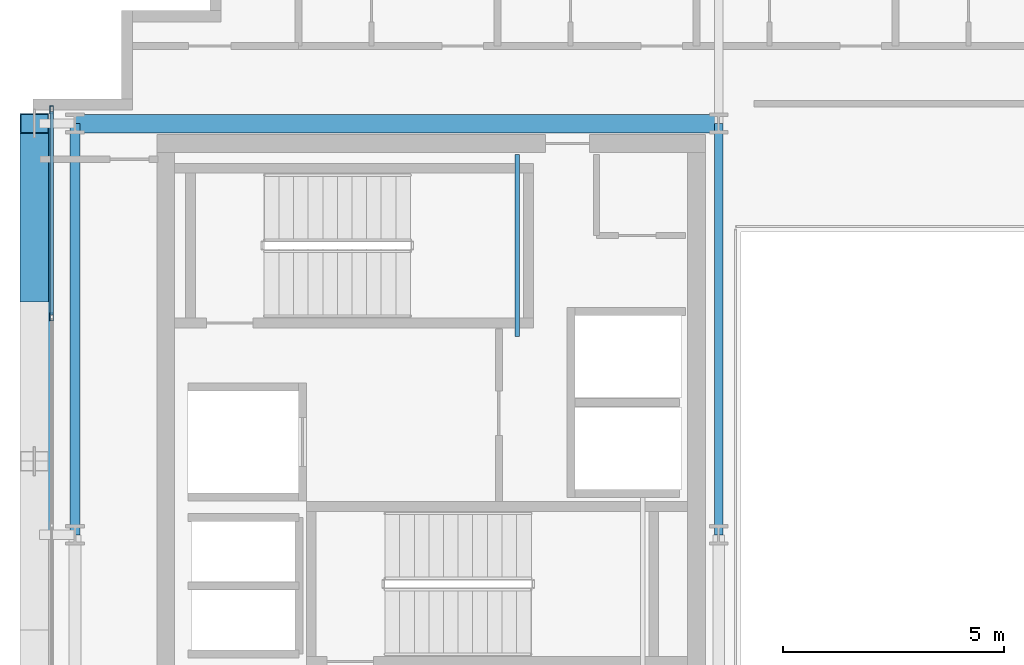
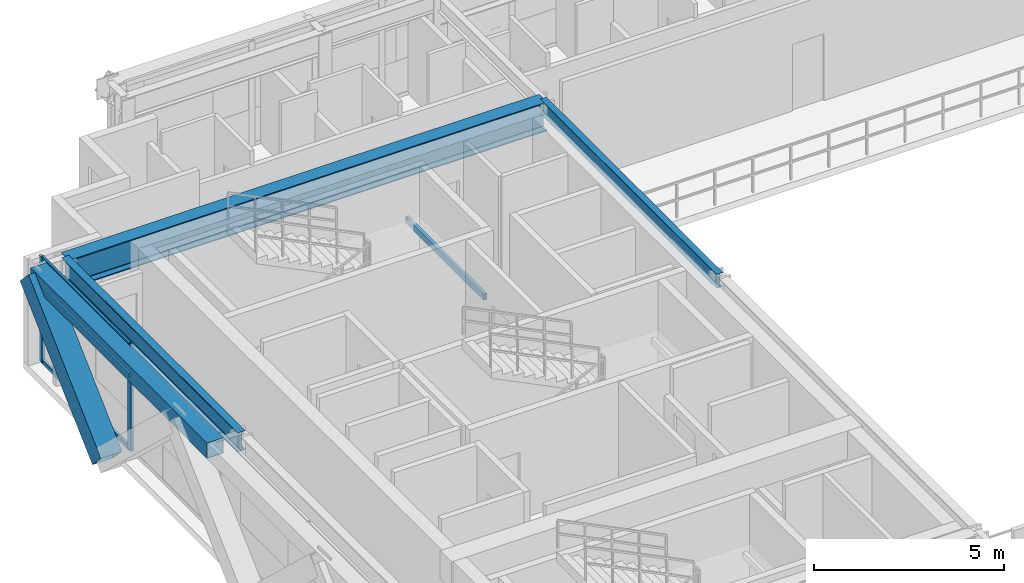
# One storey, part 7 of 28: 6 members, 5 beams, 1 element without a shape of its own.
"""IFC4 building model written with IfcOpenShell, lengths in metres."""

from ifc_helpers import new_model, si_unit, direction, frame, origin, origin_2d, place, context, subcontext, project, spatial, hollow_rectangle, i_section, extrude, source, transform, mapped, material, layer, layer_set, material_profile, profile_set, type_object, element, aggregate, save


model = new_model("IFC4")

# Units and contexts
model_context = context("Model", 3, precision=1e-05, world=origin(), true_north=direction((0.0, 1.0)))
body_context = subcontext(model_context, "Body", "Model", "MODEL_VIEW")
ifc_project = project(units=[si_unit("LENGTHUNIT", "METRE"), si_unit("AREAUNIT", "SQUARE_METRE"), si_unit("VOLUMEUNIT", "CUBIC_METRE"), si_unit("PLANEANGLEUNIT", "RADIAN"), si_unit("MASSUNIT", "GRAM", prefix="KILO")], contexts=[model_context])

# Site, building, storey
site_placement = place(None, origin())
site = spatial("IfcSite", under=ifc_project, at=site_placement, CompositionType="ELEMENT")
building_placement = place(site_placement, origin())
building = spatial("IfcBuilding", under=site, at=building_placement, Name="Ocotamira Hotel", CompositionType="ELEMENT")
storey_placement = place(building_placement, frame((0.0, 0.0, 240.0)))
storey = spatial("IfcBuildingStorey", under=building, at=storey_placement, Name="L60", CompositionType="ELEMENT", Elevation=240.0)

# Beams
ifc_material_1 = material(Name="Steel ASTM A500 Grade C", Category="steel")
ifc_material_profile_1 = material_profile(ifc_material_1, hollow_rectangle(XDim=0.10009765625, YDim=0.199951171875, WallThickness=0.008056640625, at=origin_2d()), Name="HSS200X100X8")
ifc_profile_set_1 = profile_set([ifc_material_profile_1], Name="Steel ASTM A500 Grade C")
beam_type_1 = type_object("IfcBeamType", Name="BM-STLDG-HSS200", PredefinedType="BEAM", material=ifc_profile_set_1)
shared_shape_1 = source(origin(), body_context, "Body", "SweptSolid", [
    extrude(hollow_rectangle(XDim=0.10009765625, YDim=0.199951171875, WallThickness=0.008056640625, at=origin_2d()), origin(), (0.0, 0.0, 1.0), 4.1201171875),
])
beam_1_placement = place(storey_placement, frame((18.949951171875, 32.6298828125, 1.5), z_axis=(0.0, 1.0, 0.0), x_axis=(-1.0, 0.0, 0.0)))
element("IfcBeam", 1, at=beam_1_placement, inside=storey, type_object=beam_type_1, Name="L60 Stair ST-2 Landing Bearer 1", PredefinedType="BEAM", context=body_context, shape_type="MappedRepresentation", body=[
    mapped(shared_shape_1, transform((0.0, 0.0, 0.0), scale=1.0)),
])
ifc_material_2 = material(Name="Steel ASTM A992 Grade 50", Category="steel")
ifc_material_profile_2 = material_profile(ifc_material_2, i_section(OverallWidth=0.41796875, OverallDepth=0.927001953125, WebThickness=0.019287109375, FlangeThickness=0.031982421875, FilletRadius=0.02392578125, at=origin_2d()), Name="W36X231")
ifc_profile_set_2 = profile_set([ifc_material_profile_2], Name="Steel ASTM A992 Grade 50")
beam_type_2 = type_object("IfcBeamType", Name="BM-GIRD-W36X231", PredefinedType="BEAM", material=ifc_profile_set_2)
shared_shape_2 = source(origin(), body_context, "Body", "SweptSolid", [
    extrude(i_section(OverallWidth=0.41796875, OverallDepth=0.927001953125, WebThickness=0.019287109375, FlangeThickness=0.031982421875, FilletRadius=0.02392578125, at=origin_2d()), origin(), (0.0, 0.0, 1.0), 14.550048828125),
])
beam_2_placement = place(storey_placement, frame((8.949951171875, 37.449951171875, 2.91650390625), z_axis=(1.0, 0.0, 0.0), x_axis=(0.0, 1.0, 0.0)))
element("IfcBeam", 2, at=beam_2_placement, inside=storey, type_object=beam_type_2, Name="L60 Girder Y37.45 X8.95-23.5", PredefinedType="BEAM", context=body_context, shape_type="MappedRepresentation", body=[
    mapped(shared_shape_2, transform((0.0, 0.0, 0.0), scale=1.0)),
])
ifc_material_profile_3 = material_profile(ifc_material_2, i_section(OverallWidth=0.22998046875, OverallDepth=0.616943359375, WebThickness=0.01318359375, FlangeThickness=0.022216796875, FilletRadius=0.012939453125, at=origin_2d()), Name="W24X94")
ifc_profile_set_3 = profile_set([ifc_material_profile_3], Name="Steel ASTM A992 Grade 50")
beam_type_3 = type_object("IfcBeamType", Name="BM-PRIM-W24X94", PredefinedType="BEAM", material=ifc_profile_set_3)
shared_shape_3 = source(origin(), body_context, "Body", "SweptSolid", [
    extrude(i_section(OverallWidth=0.22998046875, OverallDepth=0.616943359375, WebThickness=0.01318359375, FlangeThickness=0.022216796875, FilletRadius=0.012939453125, at=origin_2d()), origin(), (0.0, 0.0, 1.0), 9.300048828125),
])
beam_3_placement = place(storey_placement, frame((8.949951171875, 28.14990234375, 3.071533203125), z_axis=(0.0, 1.0, 0.0), x_axis=(-1.0, 0.0, 0.0)))
element("IfcBeam", 3, at=beam_3_placement, inside=storey, type_object=beam_type_3, Name="L60 Beam X8.95 Y28.15-37.45", PredefinedType="BEAM", context=body_context, shape_type="MappedRepresentation", body=[
    mapped(shared_shape_3, transform((0.0, 0.0, 0.0), scale=1.0)),
])
ifc_material_profile_4 = material_profile(ifc_material_2, i_section(OverallWidth=0.18994140625, OverallDepth=0.45703125, WebThickness=0.009033203125, FlangeThickness=0.014404296875, FilletRadius=0.010009765625, at=origin_2d()), Name="W18X50")
ifc_profile_set_4 = profile_set([ifc_material_profile_4], Name="Steel ASTM A992 Grade 50")
beam_type_4 = type_object("IfcBeamType", Name="BM-SEC-W18X50", PredefinedType="JOIST", material=ifc_profile_set_4)
shared_shape_4 = source(origin(), body_context, "Body", "SweptSolid", [
    extrude(i_section(OverallWidth=0.18994140625, OverallDepth=0.45703125, WebThickness=0.009033203125, FlangeThickness=0.014404296875, FilletRadius=0.010009765625, at=origin_2d()), origin(), (0.0, 0.0, 1.0), 9.300048828125),
])
beam_4_placement = place(storey_placement, frame((23.5, 28.14990234375, 3.151611328125), z_axis=(0.0, 1.0, 0.0), x_axis=(-1.0, 0.0, 0.0)))
element("IfcBeam", 4, at=beam_4_placement, inside=storey, type_object=beam_type_4, Name="L60 Beam X23.5 Y28.15-37.45", PredefinedType="JOIST", context=body_context, shape_type="MappedRepresentation", body=[
    mapped(shared_shape_4, transform((0.0, 0.0, 0.0), scale=1.0)),
])
ifc_material_profile_5 = material_profile(ifc_material_1, hollow_rectangle(XDim=0.5, YDim=0.5, WallThickness=0.02001953125, at=origin_2d()), Name="HSS500X500X20")
ifc_profile_set_5 = profile_set([ifc_material_profile_5], Name="Steel ASTM A500 Grade C")
beam_type_5 = type_object("IfcBeamType", Name="BM-SPAN-HSS500", PredefinedType="USERDEFINED", material=ifc_profile_set_5)
shared_shape_5 = source(origin(), body_context, "Body", "SweptSolid", [
    extrude(hollow_rectangle(XDim=0.5, YDim=0.5, WallThickness=0.02001953125, at=origin_2d()), origin(), (0.0, 0.0, 1.0), 9.300048828125),
])
beam_5_placement = place(storey_placement, frame((8.14990234375, 28.14990234375, 3.1298828125), z_axis=(0.0, 1.0, 0.0), x_axis=(-1.0, 0.0, 0.0)))
element("IfcBeam", 5, at=beam_5_placement, inside=storey, type_object=beam_type_5, Name="L60 Edge Spandrel W Y28.15-37.45", ObjectType="SPANDREL", PredefinedType="USERDEFINED", context=body_context, shape_type="MappedRepresentation", body=[
    mapped(shared_shape_5, transform((0.0, 0.0, 0.0), scale=1.0)),
])

# Member
ifc_material_3 = material(Name="Pale-metal coated steel ASTM A913 Grade 65", Category="steel")
ifc_material_profile_6 = material_profile(ifc_material_3, hollow_rectangle(XDim=0.64990234375, YDim=0.64990234375, WallThickness=0.02197265625, at=origin_2d()), Name="BOX650X650X22")
ifc_profile_set_6 = profile_set([ifc_material_profile_6], Name="Pale-metal coated steel ASTM A913 Grade 65")
member_type_1 = type_object("IfcMemberType", Name="MEM-EXO-BOX650", PredefinedType="BRACE", material=ifc_profile_set_6)
shared_shape_6 = source(origin(), body_context, "Body", "SweptSolid", [
    extrude(hollow_rectangle(XDim=0.64990234375, YDim=0.64990234375, WallThickness=0.02197265625, at=origin_2d()), origin(), (0.0, 0.0, 1.0), 5.24658203125),
])
member_1_placement = place(storey_placement, frame((8.030029296875, 33.63330078125, -0.469970703125), z_axis=(0.0, 0.72746596067, 0.686143772154), x_axis=(-1.0, 0.0, 0.0)))
element("IfcMember", 6, at=member_1_placement, inside=storey, type_object=member_type_1, Name="L60 Exoskeleton Diagrid W2.2", PredefinedType="BRACE", context=body_context, shape_type="MappedRepresentation", body=[
    mapped(shared_shape_6, transform((0.0, 0.0, 0.0), scale=1.0)),
])

# Curtain wall, members
ifc_material_4 = material(Name="Anodised pale-metal aluminium and solar glass", Category="aluminium")
ifc_layer = layer(ifc_material_4, 0.239990234375)
ifc_layer_set = layer_set([ifc_layer], Name="Anodised pale-metal aluminium and solar glass")
curtain_wall_type = type_object("IfcCurtainWallType", Name="CW-SYS5-SKY", PredefinedType="NOTDEFINED", material=ifc_layer_set)
curtain_wall_placement = place(storey_placement, origin())
curtain_wall = element("IfcCurtainWall", 7, at=curtain_wall_placement, inside=storey, type_object=curtain_wall_type, Name="L60 Curtain Wall CW-5 CW-L60-W", PredefinedType="NOTDEFINED")
ifc_material_5 = material(Name="Anodised pale-metal aluminium 6063-T6", Category="aluminium")
ifc_material_profile_7 = material_profile(ifc_material_5, hollow_rectangle(XDim=0.080078125, YDim=0.179931640625, WallThickness=0.006103515625, at=origin_2d()), Name="HSS180X80X6")
ifc_profile_set_7 = profile_set([ifc_material_profile_7], Name="Anodised pale-metal aluminium 6063-T6")
member_type_2 = type_object("IfcMemberType", Name="CWM-180X75", PredefinedType="MULLION", material=ifc_profile_set_7)
shared_shape_7 = source(origin(), body_context, "Body", "SweptSolid", [
    extrude(hollow_rectangle(XDim=0.080078125, YDim=0.179931640625, WallThickness=0.006103515625, at=origin_2d()), origin(), (0.0, 0.0, 1.0), 3.3798828125),
])
member_2_placement = place(storey_placement, frame((8.419921875, 33.080078125, 0.0), z_axis=(0.0, 0.0, 1.0), x_axis=(-1.0, 0.0, 0.0)))
member_2 = element("IfcMember", 8, at=member_2_placement, type_object=member_type_2, Name="CW-5 mullion 5", PredefinedType="MULLION", context=body_context, shape_type="MappedRepresentation", body=[
    mapped(shared_shape_7, transform((0.0, 0.0, 0.0), scale=1.0)),
])
member_3_placement = place(storey_placement, frame((8.419921875, 37.760009765625, 0.0), z_axis=(0.0, 0.0, 1.0), x_axis=(-1.0, 0.0, 0.0)))
member_3 = element("IfcMember", 9, at=member_3_placement, type_object=member_type_2, Name="CW-5 mullion 6", PredefinedType="MULLION", context=body_context, shape_type="MappedRepresentation", body=[
    mapped(shared_shape_7, transform((0.0, 0.0, 0.0), scale=1.0)),
])
ifc_material_profile_8 = material_profile(ifc_material_5, hollow_rectangle(XDim=0.074951171875, YDim=0.14990234375, WallThickness=0.006103515625, at=origin_2d()), Name="HSS150X75X6")
ifc_profile_set_8 = profile_set([ifc_material_profile_8], Name="Anodised pale-metal aluminium 6063-T6")
member_type_3 = type_object("IfcMemberType", Name="CWT-150X75", PredefinedType="USERDEFINED", material=ifc_profile_set_8)
shared_shape_8 = source(origin(), body_context, "Body", "SweptSolid", [
    extrude(hollow_rectangle(XDim=0.074951171875, YDim=0.14990234375, WallThickness=0.006103515625, at=origin_2d()), origin(), (0.0, 0.0, 1.0), 4.599853515625),
])
member_4_placement = place(storey_placement, frame((8.419921875, 33.1201171875, 0.03759765625), z_axis=(0.0, 1.0, 0.0), x_axis=(-1.0, 0.0, 0.0)))
member_4 = element("IfcMember", 10, at=member_4_placement, type_object=member_type_3, Name="CW-5 transom 5.1", ObjectType="TRANSOM", PredefinedType="USERDEFINED", context=body_context, shape_type="MappedRepresentation", body=[
    mapped(shared_shape_8, transform((0.0, 0.0, 0.0), scale=1.0)),
])
member_5_placement = place(storey_placement, frame((8.419921875, 33.1201171875, 2.35009765625), z_axis=(0.0, 1.0, 0.0), x_axis=(-1.0, 0.0, 0.0)))
member_5 = element("IfcMember", 11, at=member_5_placement, type_object=member_type_3, Name="CW-5 transom 5.2", ObjectType="TRANSOM", PredefinedType="USERDEFINED", context=body_context, shape_type="MappedRepresentation", body=[
    mapped(shared_shape_8, transform((0.0, 0.0, 0.0), scale=1.0)),
])
member_6_placement = place(storey_placement, frame((8.419921875, 33.1201171875, 3.342529296875), z_axis=(0.0, 1.0, 0.0), x_axis=(-1.0, 0.0, 0.0)))
member_6 = element("IfcMember", 12, at=member_6_placement, type_object=member_type_3, Name="CW-5 transom 5.3", ObjectType="TRANSOM", PredefinedType="USERDEFINED", context=body_context, shape_type="MappedRepresentation", body=[
    mapped(shared_shape_8, transform((0.0, 0.0, 0.0), scale=1.0)),
])
aggregate(curtain_wall, [member_2, member_3, member_4, member_5, member_6])

save(model, "model.ifc")
